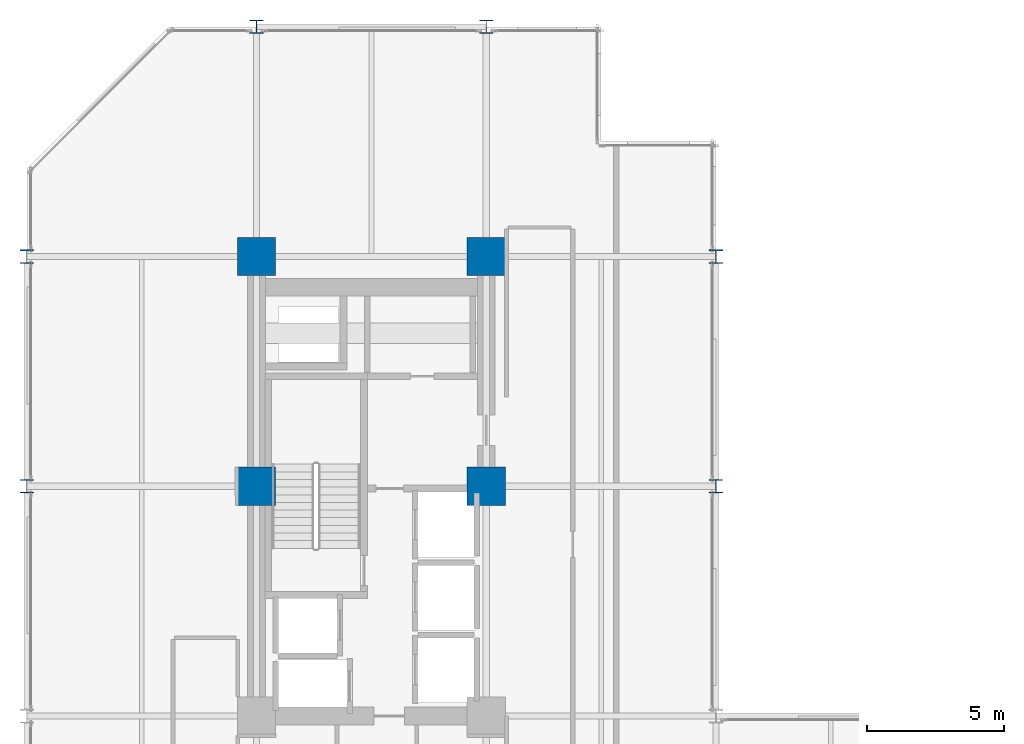
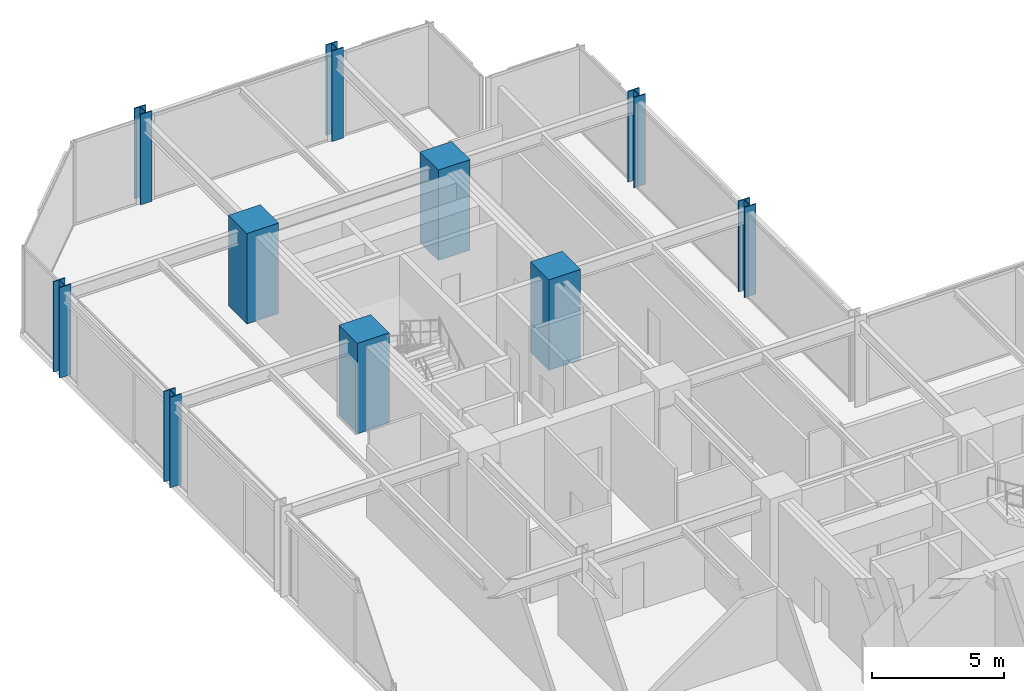
# One storey, part 3 of 26: 10 columns.
"""IFC4 building model written with IfcOpenShell, lengths in metres."""

from ifc_helpers import new_model, si_unit, direction, frame, origin, origin_2d, place, context, subcontext, project, spatial, rectangle, i_section, extrude, material, material_profile, profile_set, type_object, element, save


model = new_model("IFC4")

# Units and contexts
model_context = context("Model", 3, precision=1e-05, world=origin(), true_north=direction((0.0, 1.0)))
body_context = subcontext(model_context, "Body", "Model", "MODEL_VIEW")
ifc_project = project(units=[si_unit("LENGTHUNIT", "METRE"), si_unit("AREAUNIT", "SQUARE_METRE"), si_unit("VOLUMEUNIT", "CUBIC_METRE"), si_unit("PLANEANGLEUNIT", "RADIAN"), si_unit("MASSUNIT", "GRAM", prefix="KILO")], contexts=[model_context])

# Site, building, storey
site_placement = place(None, origin())
site = spatial("IfcSite", under=ifc_project, at=site_placement, CompositionType="ELEMENT")
building_placement = place(site_placement, origin())
building = spatial("IfcBuilding", under=site, at=building_placement, Name="Nerrivon Quay Data Exchange", CompositionType="ELEMENT")
storey_placement = place(building_placement, frame((0.0, 0.0, 71.0)))
storey = spatial("IfcBuildingStorey", under=building, at=storey_placement, Name="L16", CompositionType="ELEMENT", Elevation=71.0)

# Columns
ifc_material_1 = material(Name="Concrete N80 (80 MPa)", Category="concrete")
ifc_material_profile_1 = material_profile(ifc_material_1, rectangle(XDim=1.39990234375, YDim=1.39990234375, at=origin_2d()), Name="RC-COL-1400x1400")
ifc_profile_set_1 = profile_set([ifc_material_profile_1], Name="Concrete N80 (80 MPa)")
column_type_1 = type_object("IfcColumnType", Name="COL-C2-1400", PredefinedType="COLUMN", material=ifc_profile_set_1)
for number, where, z_axis, x_axis, name in (
    (1, (8.39990234375, 33.60009765625, 0.0), (0.0, 0.0, 1.0), (1.0, 0.0, 0.0), "L16 Column (8.4,33.6)"),
    (2, (8.39990234375, 42.0, 0.0), (0.0, 0.0, 1.0), (1.0, 0.0, 0.0), "L16 Column (8.4,42.0)"),
    (3, (16.800048828125, 33.60009765625, 0.0), (0.0, 0.0, 1.0), (1.0, 0.0, 0.0), "L16 Column (16.8,33.6)"),
    (4, (16.800048828125, 42.0, 0.0), (0.0, 0.0, 1.0), (1.0, 0.0, 0.0), "L16 Column (16.8,42.0)"),
):
    element("IfcColumn", number, at=place(storey_placement, frame(where, z_axis=z_axis, x_axis=x_axis)), inside=storey, type_object=column_type_1, Name=name, PredefinedType="COLUMN", context=body_context, shape_type="SweptSolid", body=[
        extrude(rectangle(XDim=1.39990234375, YDim=1.39990234375, at=origin_2d()), origin(), (0.0, 0.0, 1.0), 4.199951171875),
    ])
ifc_material_2 = material(Name="Steel Grade 350", Category="steel")
ifc_material_profile_2 = material_profile(ifc_material_2, i_section(OverallWidth=0.5, OverallDepth=0.5, WebThickness=0.028076171875, FlangeThickness=0.0400390625, at=origin_2d()), Name="500WC440")
ifc_profile_set_2 = profile_set([ifc_material_profile_2], Name="Steel Grade 350")
column_type_2 = type_object("IfcColumnType", Name="COL-SC1-500WC", PredefinedType="COLUMN", material=ifc_profile_set_2)
for number, where, z_axis, x_axis, name in (
    (5, (0.0, 33.60009765625, 0.0), (0.0, 0.0, 1.0), (1.0, 0.0, 0.0), "L16 Column (0.0,33.6)"),
    (6, (0.0, 42.0, 0.0), (0.0, 0.0, 1.0), (1.0, 0.0, 0.0), "L16 Column (0.0,42.0)"),
    (7, (8.39990234375, 50.39990234375, 0.0), (0.0, 0.0, 1.0), (1.0, 0.0, 0.0), "L16 Column (8.4,50.4)"),
    (8, (16.800048828125, 50.39990234375, 0.0), (0.0, 0.0, 1.0), (1.0, 0.0, 0.0), "L16 Column (16.8,50.4)"),
    (9, (25.199951171875, 33.60009765625, 0.0), (0.0, 0.0, 1.0), (1.0, 0.0, 0.0), "L16 Column (25.2,33.6)"),
    (10, (25.199951171875, 42.0, 0.0), (0.0, 0.0, 1.0), (1.0, 0.0, 0.0), "L16 Column (25.2,42.0)"),
):
    element("IfcColumn", number, at=place(storey_placement, frame(where, z_axis=z_axis, x_axis=x_axis)), inside=storey, type_object=column_type_2, Name=name, PredefinedType="COLUMN", context=body_context, shape_type="SweptSolid", body=[
        extrude(i_section(OverallWidth=0.5, OverallDepth=0.5, WebThickness=0.028076171875, FlangeThickness=0.0400390625, at=origin_2d()), origin(), (0.0, 0.0, 1.0), 4.199951171875),
    ])

save(model, "model.ifc")
